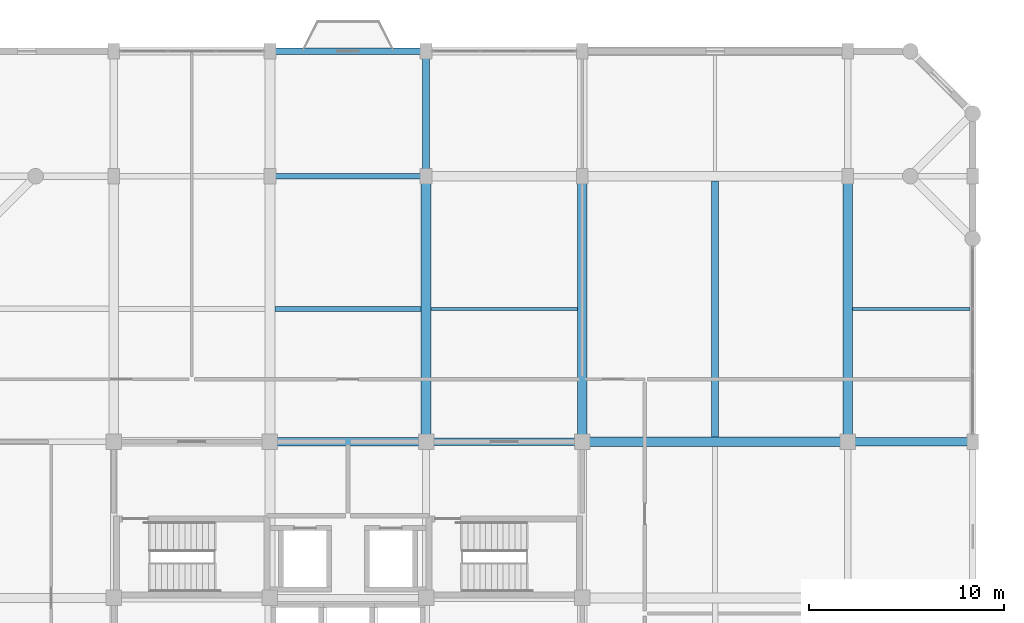
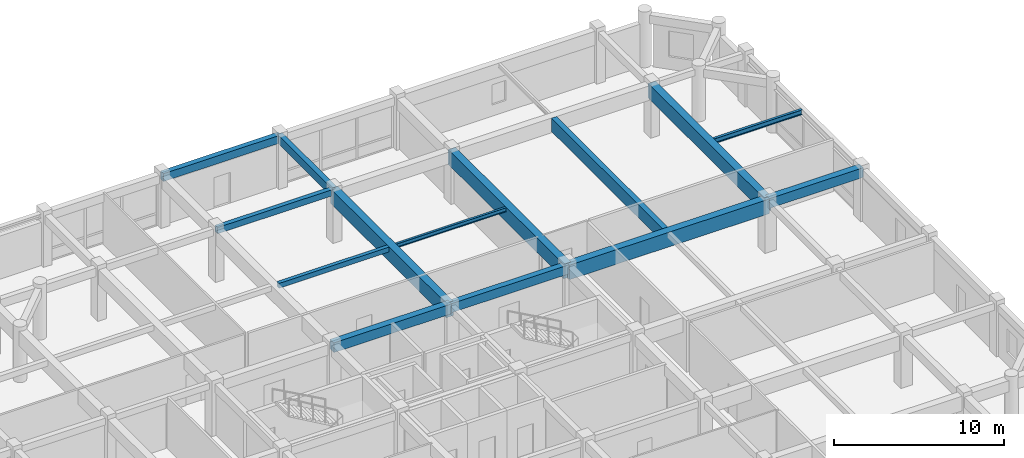
# One storey, part 10 of 20: 14 beams.
"""IFC4 building model written with IfcOpenShell, lengths in metres."""

import ifcopenshell
import ifcopenshell.guid

model = None  # the IFC model being written
_history = None  # IfcOwnerHistory: only IFC2X3 demands one
_inside = {}  # id of a spatial element -> (the spatial element, [elements in it])
_under = {}  # id of a project, library or spatial element -> (it, [spatial elements below it])
_declared = {}  # id of a project -> (the project, [libraries it declares])
_typed = {}  # id of a type object -> (the type object, [elements of that type])
_made_of = {}  # id of a material, layer set ... -> (it, [elements and type objects made of it])


def new_model(schema):
    """Start an empty IFC model of exactly this schema.

    Asked for "IFC4X3", IfcOpenShell would pick the latest addendum, in which some entities
    have other attributes; the version numbers below select the first issue.
    IFC2X3 requires an IfcOwnerHistory on every rooted entity: one is made here for all.
    """
    global model, _history
    if schema == "IFC4X3":
        model = ifcopenshell.file(schema_version=(4, 3, 0, 0))
    else:
        model = ifcopenshell.file(schema=schema)
    _inside.clear()
    _under.clear()
    _declared.clear()
    _typed.clear()
    _made_of.clear()
    _history = None
    if model.schema == "IFC2X3":
        org = make("IfcOrganization", Name="unknown")
        user = make(
            "IfcPersonAndOrganization",
            ThePerson=make("IfcPerson", FamilyName="unknown"),
            TheOrganization=org,
        )
        app = make(
            "IfcApplication",
            ApplicationDeveloper=org,
            Version="unknown",
            ApplicationFullName="unknown",
            ApplicationIdentifier="unknown",
        )
        _history = make(
            "IfcOwnerHistory",
            OwningUser=user,
            OwningApplication=app,
            ChangeAction="ADDED",
            CreationDate=0,
        )
    return model


def make(cls, **values):
    """One entity of the class cls with the attributes given. An attribute that is None is left unset."""
    return model.create_entity(
        cls, **{name: value for name, value in values.items() if value is not None}
    )


def rooted(cls, **values):
    """An entity with a GlobalId (a new one), such as an element, a storey or a relation."""
    return make(cls, GlobalId=ifcopenshell.guid.new(), OwnerHistory=_history, **values)


def si_unit(unit_type, name, prefix=None):
    """IfcSIUnit, for example si_unit("LENGTHUNIT", "METRE", prefix="MILLI")."""
    return make("IfcSIUnit", UnitType=unit_type, Prefix=prefix, Name=name)


def assignment(units):
    """IfcUnitAssignment: the units of a project."""
    return None if units is None else make("IfcUnitAssignment", Units=units)


def point(xyz):
    """IfcCartesianPoint."""
    return None if xyz is None else make("IfcCartesianPoint", Coordinates=xyz)


def direction(xyz):
    """IfcDirection."""
    return None if xyz is None else make("IfcDirection", DirectionRatios=xyz)


def frame(location, z_axis=None, x_axis=None):
    """IfcAxis2Placement3D, a coordinate frame: its origin and axes. An axis left out is left unset."""
    return make(
        "IfcAxis2Placement3D",
        Location=point(location),
        Axis=direction(z_axis),
        RefDirection=direction(x_axis),
    )


def frame_2d(location, x_axis=None):
    """IfcAxis2Placement2D, a coordinate frame in the plane: its origin and x axis."""
    return make(
        "IfcAxis2Placement2D", Location=point(location), RefDirection=direction(x_axis)
    )


def origin():
    """The frame at (0, 0, 0) with its axes left unset."""
    return frame((0.0, 0.0, 0.0))


def origin_2d():
    """The frame at (0, 0) in the plane with its x axis left unset."""
    return frame_2d((0.0, 0.0))


def place(relative_to, where):
    """IfcLocalPlacement: puts the frame where relative to a parent placement (None: the world)."""
    return make(
        "IfcLocalPlacement", PlacementRelTo=relative_to, RelativePlacement=where
    )


def context(
    kind, dimensions, precision=None, world=None, true_north=None, identifier=None
):
    """IfcGeometricRepresentationContext, for example the 3D "Model" context."""
    return make(
        "IfcGeometricRepresentationContext",
        ContextIdentifier=identifier,
        ContextType=kind,
        CoordinateSpaceDimension=dimensions,
        Precision=precision,
        WorldCoordinateSystem=world,
        TrueNorth=true_north,
    )


def subcontext(parent, identifier, kind, view, scale=None):
    """IfcGeometricRepresentationSubContext, for example "Body" below "Model"."""
    return make(
        "IfcGeometricRepresentationSubContext",
        ContextIdentifier=identifier,
        ContextType=kind,
        ParentContext=parent,
        TargetScale=scale,
        TargetView=view,
    )


def project(units=None, contexts=None):
    """IfcProject with its units and contexts."""
    return rooted(
        "IfcProject",
        Name="project",
        RepresentationContexts=contexts,
        UnitsInContext=assignment(units),
    )


def spatial(cls, under=None, at=None, **own):
    """A site, building, storey or space (cls), placed at a placement, below another one or the project."""
    s = rooted(cls, ObjectPlacement=at, **own)
    if under is not None:
        _under.setdefault(under.id(), (under, []))[1].append(s)
    return s


def profile(cls, at=None, kind="AREA", **sizes):
    """A parametric profile (cls). Its sizes go by their IFC names, for example OverallWidth=200.0."""
    return make(cls, ProfileType=kind, Position=at, **sizes)


def rectangle(**sizes):
    """IfcRectangleProfileDef."""
    return profile("IfcRectangleProfileDef", **sizes)


def i_section(**sizes):
    """IfcIShapeProfileDef."""
    return profile("IfcIShapeProfileDef", **sizes)


def extrude(swept, where, along, depth):
    """IfcExtrudedAreaSolid: the profile swept, set in the frame where, extruded along a direction by depth."""
    return make(
        "IfcExtrudedAreaSolid",
        SweptArea=swept,
        Position=where,
        ExtrudedDirection=direction(along),
        Depth=depth,
    )


def shape(context_of_items, identifier, shape_type, items):
    """IfcShapeRepresentation: the items that make up one representation, for example the "Body"."""
    return make(
        "IfcShapeRepresentation",
        ContextOfItems=context_of_items,
        RepresentationIdentifier=identifier,
        RepresentationType=shape_type,
        Items=items,
    )


def material(Name=None, Category=None):
    """IfcMaterial."""
    return make("IfcMaterial", Name=Name, Category=Category)


def material_profile(
    of_material, cross_section, Name=None, Category=None, Priority=None
):
    """IfcMaterialProfile: a cross section and its material."""
    return make(
        "IfcMaterialProfile",
        Name=Name,
        Material=of_material,
        Profile=cross_section,
        Priority=Priority,
        Category=Category,
    )


def profile_set(profiles, Name=None, composite=None):
    """IfcMaterialProfileSet."""
    return make(
        "IfcMaterialProfileSet",
        Name=Name,
        MaterialProfiles=profiles,
        CompositeProfile=composite,
    )


def made_of(thing, what):
    """Note that an element or type object is made of a material, layer set ...; save() writes the relation."""
    if what is not None:
        _made_of.setdefault(what.id(), (what, []))[1].append(thing)
    return thing


def type_object(cls, material=None, **own):
    """A type object (cls), such as IfcWallType, which elements share."""
    return made_of(rooted(cls, **own), material)


def element(
    cls,
    number,
    at=None,
    inside=None,
    cuts=None,
    type_object=None,
    material=None,
    context=None,
    identifier="Body",
    shape_type=None,
    held_by="IfcProductDefinitionShape",
    body=None,
    shapes=None,
    **own,
):
    """One element of the class cls, such as IfcWall. Its Tag is "e" and its number.

    at: its placement. inside: the storey or other place that contains it. cuts: it is an
    opening in that element (IfcRelVoidsElement). A single representation is given by context,
    identifier, shape_type and body (its items); several are given by shapes. held_by: the class
    of the entity that holds the representations. save() writes the other relations.
    """
    e = rooted(cls, Tag="e%d" % number, ObjectPlacement=at, **own)
    if body is not None:
        shapes = [shape(context, identifier, shape_type, body)]
    if shapes is not None:
        e.Representation = make(held_by, Representations=shapes)
    if inside is not None:
        _inside.setdefault(inside.id(), (inside, []))[1].append(e)
    if cuts is not None:
        rooted(
            "IfcRelVoidsElement", RelatingBuildingElement=cuts, RelatedOpeningElement=e
        )
    if type_object is not None:
        _typed.setdefault(type_object.id(), (type_object, []))[1].append(e)
    return made_of(e, material)


def aggregate(whole, parts):
    """IfcRelAggregates: a whole, such as a stair, and the parts it consists of."""
    return rooted("IfcRelAggregates", RelatingObject=whole, RelatedObjects=parts)


def save(model, path):
    """Write the relations noted so far, then the file.

    IfcRelAggregates (storeys below a building ...), IfcRelContainedInSpatialStructure (elements
    in a storey), IfcRelDefinesByType, IfcRelAssociatesMaterial and IfcRelDeclares: one each for
    every whole, place, type object, material and project.
    """
    for whole, parts in _under.values():
        aggregate(whole, parts)
    for where, things in _inside.values():
        rooted(
            "IfcRelContainedInSpatialStructure",
            RelatedElements=things,
            RelatingStructure=where,
        )
    for kind, things in _typed.values():
        rooted("IfcRelDefinesByType", RelatedObjects=things, RelatingType=kind)
    for what, things in _made_of.values():
        rooted("IfcRelAssociatesMaterial", RelatedObjects=things, RelatingMaterial=what)
    for by, libraries in _declared.values():
        rooted("IfcRelDeclares", RelatingContext=by, RelatedDefinitions=libraries)
    model.write(path)


model = new_model("IFC4")

# Units and contexts
model_context = context("Model", 3, precision=1e-05, world=origin(), true_north=direction((0.0, 1.0)))
body_context = subcontext(model_context, "Body", "Model", "MODEL_VIEW")
ifc_project = project(units=[si_unit("LENGTHUNIT", "METRE"), si_unit("AREAUNIT", "SQUARE_METRE"), si_unit("VOLUMEUNIT", "CUBIC_METRE"), si_unit("PLANEANGLEUNIT", "RADIAN"), si_unit("MASSUNIT", "GRAM", prefix="KILO")], contexts=[model_context])

# Site, building, storey
site_placement = place(None, origin())
site = spatial("IfcSite", under=ifc_project, at=site_placement, CompositionType="ELEMENT")
building_placement = place(site_placement, origin())
building = spatial("IfcBuilding", under=site, at=building_placement, Name="Vellmiral Cinema and Media Centre", CompositionType="ELEMENT")
storey_placement = place(building_placement, frame((0.0, 0.0, 23.800048828125)))
storey = spatial("IfcBuildingStorey", under=building, at=storey_placement, Name="L05", CompositionType="ELEMENT", Elevation=23.800048828125)

# Beams
ifc_material_1 = material(Name="Concrete C40/50", Category="concrete")
ifc_material_profile_1 = material_profile(ifc_material_1, rectangle(XDim=0.300048828125, YDim=0.449951171875, at=origin_2d()), Name="RC 300x450")
ifc_profile_set_1 = profile_set([ifc_material_profile_1], Name="Concrete C40/50")
beam_type_1 = type_object("IfcBeamType", Name="BM-RC-300x450", PredefinedType="BEAM", material=ifc_profile_set_1)
beam_1_placement = place(storey_placement, frame((132.0, 108.800048828125, 3.469970703125), z_axis=(1.0, 0.0, 0.0), x_axis=(0.0, 1.0, 0.0)))
element("IfcBeam", 1, at=beam_1_placement, inside=storey, type_object=beam_type_1, Name="Grid Beam L05-X044", PredefinedType="BEAM", context=body_context, shape_type="SweptSolid", body=[
    extrude(rectangle(XDim=0.300048828125, YDim=0.449951171875, at=origin_2d()), origin(), (0.0, 0.0, 1.0), 8.0),
])
ifc_material_2 = material(Name="Concrete C40/50", Category="concrete")
ifc_material_profile_2 = material_profile(ifc_material_2, rectangle(XDim=0.35009765625, YDim=0.60009765625, at=origin_2d()), Name="RC 350x600")
ifc_profile_set_2 = profile_set([ifc_material_profile_2], Name="Concrete C40/50")
beam_type_2 = type_object("IfcBeamType", Name="BM-RC-350x600", PredefinedType="BEAM", material=ifc_profile_set_2)
beam_2_placement = place(storey_placement, frame((140.0, 108.800048828125, 3.39501953125), z_axis=(0.0, 1.0, 0.0), x_axis=(-1.0, 0.0, 0.0)))
element("IfcBeam", 2, at=beam_2_placement, inside=storey, type_object=beam_type_2, Name="Grid Beam L05-Y087", PredefinedType="BEAM", context=body_context, shape_type="SweptSolid", body=[
    extrude(rectangle(XDim=0.35009765625, YDim=0.60009765625, at=origin_2d()), origin(), (0.0, 0.0, 1.0), 6.39990234375),
])
ifc_material_3 = material(Name="Concrete C40/50", Category="concrete")
ifc_material_profile_3 = material_profile(ifc_material_3, rectangle(XDim=0.39990234375, YDim=0.64990234375, at=origin_2d()), Name="RC 400x650")
ifc_profile_set_3 = profile_set([ifc_material_profile_3], Name="Concrete C40/50")
beam_type_3 = type_object("IfcBeamType", Name="BM-RC-400x650", PredefinedType="BEAM", material=ifc_profile_set_3)
beam_3_placement = place(storey_placement, frame((140.0, 95.199951171875, 3.369873046875), z_axis=(1.0, 0.0, 0.0), x_axis=(0.0, 1.0, 0.0)))
element("IfcBeam", 3, at=beam_3_placement, inside=storey, type_object=beam_type_3, Name="Grid Beam L05-X038", PredefinedType="BEAM", context=body_context, shape_type="SweptSolid", body=[
    extrude(rectangle(XDim=0.39990234375, YDim=0.64990234375, at=origin_2d()), origin(), (0.0, 0.0, 1.0), 8.0),
])
ifc_material_4 = material(Name="Concrete C40/50", Category="concrete")
ifc_material_profile_4 = material_profile(ifc_material_4, rectangle(XDim=0.449951171875, YDim=0.699951171875, at=origin_2d()), Name="RC 450x700")
ifc_profile_set_4 = profile_set([ifc_material_profile_4], Name="Concrete C40/50")
beam_type_4 = type_object("IfcBeamType", Name="BM-RC-450x700", PredefinedType="BEAM", material=ifc_profile_set_4)
beam_4_placement = place(storey_placement, frame((132.0, 95.199951171875, 3.344970703125), z_axis=(1.0, 0.0, 0.0), x_axis=(0.0, 1.0, 0.0)))
element("IfcBeam", 4, at=beam_4_placement, inside=storey, type_object=beam_type_4, Name="Grid Beam L05-X037", PredefinedType="BEAM", context=body_context, shape_type="SweptSolid", body=[
    extrude(rectangle(XDim=0.449951171875, YDim=0.699951171875, at=origin_2d()), origin(), (0.0, 0.0, 1.0), 8.0),
])
beam_5_placement = place(storey_placement, frame((161.60009765625, 95.199951171875, 3.344970703125), z_axis=(1.0, 0.0, 0.0), x_axis=(0.0, 1.0, 0.0)))
element("IfcBeam", 5, at=beam_5_placement, inside=storey, type_object=beam_type_4, Name="Grid Beam L05-X040", PredefinedType="BEAM", context=body_context, shape_type="SweptSolid", body=[
    extrude(rectangle(XDim=0.449951171875, YDim=0.699951171875, at=origin_2d()), origin(), (0.0, 0.0, 1.0), 6.39990234375),
])
ifc_material_5 = material(Name="Concrete C40/50", Category="concrete")
ifc_material_profile_5 = material_profile(ifc_material_5, rectangle(XDim=0.5, YDim=1.050048828125, at=origin_2d()), Name="RC 500x1050")
ifc_profile_set_5 = profile_set([ifc_material_profile_5], Name="Concrete C40/50")
beam_type_5 = type_object("IfcBeamType", Name="BM-RCG-500x1050", PredefinedType="BEAM", material=ifc_profile_set_5)
for number, where, z_axis, x_axis, name in (
    (6, (148.0, 95.199951171875, 3.169921875), (1.0, 0.0, 0.0), (0.0, 1.0, 0.0), "Grid Beam L05-X039"),
    (7, (140.0, 95.199951171875, 3.169921875), (0.0, 1.0, 0.0), (-1.0, 0.0, 0.0), "Grid Beam L05-Y086"),
    (8, (148.0, 95.199951171875, 3.169921875), (0.0, 1.0, 0.0), (-1.0, 0.0, 0.0), "Grid Beam L05-Y092"),
    (9, (161.60009765625, 95.199951171875, 3.169921875), (0.0, 1.0, 0.0), (-1.0, 0.0, 0.0), "Grid Beam L05-Y098"),
):
    element("IfcBeam", number, at=place(storey_placement, frame(where, z_axis=z_axis, x_axis=x_axis)), inside=storey, type_object=beam_type_5, Name=name, PredefinedType="BEAM", context=body_context, shape_type="SweptSolid", body=[
        extrude(rectangle(XDim=0.5, YDim=1.050048828125, at=origin_2d()), origin(), (0.0, 0.0, 1.0), 13.60009765625),
    ])
ifc_material_6 = material(Name="Concrete C40/50", Category="concrete")
ifc_material_profile_6 = material_profile(ifc_material_6, rectangle(XDim=0.25, YDim=0.35009765625, at=origin_2d()), Name="RC 250x350")
ifc_profile_set_6 = profile_set([ifc_material_profile_6], Name="Concrete C40/50")
beam_type_6 = type_object("IfcBeamType", Name="JST-RC-250x350", PredefinedType="JOIST", material=ifc_profile_set_6)
beam_6_placement = place(storey_placement, frame((132.25, 102.0, 3.52001953125), z_axis=(1.0, 0.0, 0.0), x_axis=(0.0, 1.0, 0.0)))
element("IfcBeam", 10, at=beam_6_placement, inside=storey, type_object=beam_type_6, Name="Secondary Floor Joist L05-004", PredefinedType="JOIST", context=body_context, shape_type="SweptSolid", body=[
    extrude(rectangle(XDim=0.25, YDim=0.35009765625, at=origin_2d()), origin(), (0.0, 0.0, 1.0), 7.5),
])
ifc_material_7 = material(Name="Concrete C40/50", Category="concrete")
ifc_material_profile_7 = material_profile(ifc_material_7, rectangle(XDim=0.35009765625, YDim=0.949951171875, at=origin_2d()), Name="RC 350x950")
ifc_profile_set_7 = profile_set([ifc_material_profile_7], Name="Concrete C40/50")
beam_type_7 = type_object("IfcBeamType", Name="JST-RCG-350x950", PredefinedType="JOIST", material=ifc_profile_set_7)
beam_7_placement = place(storey_placement, frame((154.800048828125, 95.449951171875, 3.219970703125), z_axis=(0.0, 1.0, 0.0), x_axis=(-1.0, 0.0, 0.0)))
element("IfcBeam", 11, at=beam_7_placement, inside=storey, type_object=beam_type_7, Name="Secondary Floor Joist L05-010", PredefinedType="JOIST", context=body_context, shape_type="SweptSolid", body=[
    extrude(rectangle(XDim=0.35009765625, YDim=0.949951171875, at=origin_2d()), origin(), (0.0, 0.0, 1.0), 13.10009765625),
])
ifc_material_8 = material(Name="Steel S355", Category="steel")
ifc_material_profile_8 = material_profile(ifc_material_8, i_section(OverallWidth=0.14990234375, OverallDepth=0.300048828125, WebThickness=0.007080078125, FlangeThickness=0.0107421875, FilletRadius=0.014892578125, at=origin_2d()), Name="IPE 300")
ifc_profile_set_8 = profile_set([ifc_material_profile_8], Name="Steel S355")
beam_type_8 = type_object("IfcBeamType", Name="SBM-IPE300", PredefinedType="JOIST", material=ifc_profile_set_8)
beam_8_placement = place(storey_placement, frame((140.25, 102.0, 3.544921875), z_axis=(1.0, 0.0, 0.0), x_axis=(0.0, 1.0, 0.0)))
element("IfcBeam", 12, at=beam_8_placement, inside=storey, type_object=beam_type_8, Name="Secondary Floor Joist L05-005", PredefinedType="JOIST", context=body_context, shape_type="SweptSolid", body=[
    extrude(i_section(OverallWidth=0.14990234375, OverallDepth=0.300048828125, WebThickness=0.007080078125, FlangeThickness=0.0107421875, FilletRadius=0.014892578125, at=origin_2d()), origin(), (0.0, 0.0, 1.0), 7.5),
])
ifc_material_9 = material(Name="Steel S355", Category="steel")
ifc_material_profile_9 = material_profile(ifc_material_9, i_section(OverallWidth=0.169921875, OverallDepth=0.360107421875, WebThickness=0.008056640625, FlangeThickness=0.0126953125, FilletRadius=0.01806640625, at=origin_2d()), Name="IPE 360")
ifc_profile_set_9 = profile_set([ifc_material_profile_9], Name="Steel S355")
beam_type_9 = type_object("IfcBeamType", Name="SBM-IPE360", PredefinedType="JOIST", material=ifc_profile_set_9)
beam_9_placement = place(storey_placement, frame((161.85009765625, 102.0, 3.514892578125), z_axis=(1.0, 0.0, 0.0), x_axis=(0.0, 1.0, 0.0)))
element("IfcBeam", 13, at=beam_9_placement, inside=storey, type_object=beam_type_9, Name="Secondary Floor Joist L05-012", PredefinedType="JOIST", context=body_context, shape_type="SweptSolid", body=[
    extrude(i_section(OverallWidth=0.169921875, OverallDepth=0.360107421875, WebThickness=0.008056640625, FlangeThickness=0.0126953125, FilletRadius=0.01806640625, at=origin_2d()), origin(), (0.0, 0.0, 1.0), 6.0),
])
ifc_material_10 = material(Name="Concrete C40/50", Category="concrete")
ifc_material_profile_10 = material_profile(ifc_material_10, rectangle(XDim=0.35009765625, YDim=0.56005859375, at=origin_2d()), Name="RC 350x560")
ifc_profile_set_10 = profile_set([ifc_material_profile_10], Name="Concrete C40/50")
beam_type_10 = type_object("IfcBeamType", Name="SPD-RC-350x560", PredefinedType="SPANDREL", material=ifc_profile_set_10)
beam_10_placement = place(storey_placement, frame((132.0, 115.199951171875, 3.4150390625), z_axis=(1.0, 0.0, 0.0), x_axis=(0.0, 1.0, 0.0)))
element("IfcBeam", 14, at=beam_10_placement, inside=storey, type_object=beam_type_10, Name="Grid Beam L05-X051", PredefinedType="SPANDREL", context=body_context, shape_type="SweptSolid", body=[
    extrude(rectangle(XDim=0.35009765625, YDim=0.56005859375, at=origin_2d()), origin(), (0.0, 0.0, 1.0), 8.0),
])

save(model, "model.ifc")
